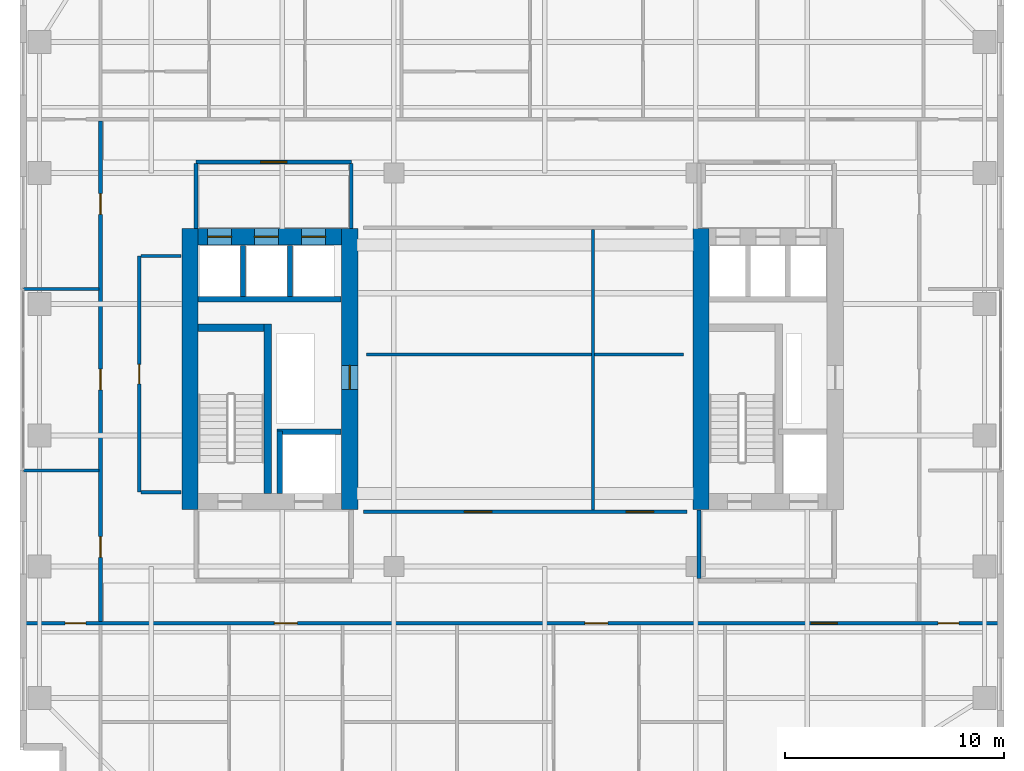
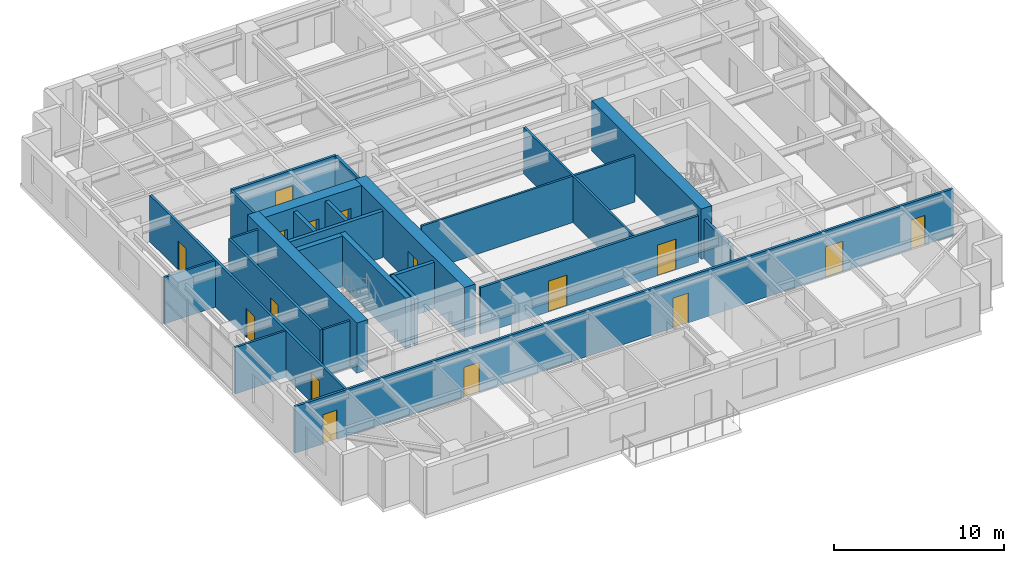
# One storey, part 9 of 16: 25 walls, 16 doors, 16 openings.
"""IFC4 building model written with IfcOpenShell, lengths in metres."""

from ifc_helpers import new_model, si_unit, direction, frame, frame_2d, origin, place, context, subcontext, project, spatial, rectangle, extrude, source, transform, mapped, material, layer, layer_set, type_object, element, fill, save


model = new_model("IFC4")

# Units and contexts
model_context = context("Model", 3, precision=1e-05, world=origin(), true_north=direction((0.0, 1.0)))
body_context = subcontext(model_context, "Body", "Model", "MODEL_VIEW")
ifc_project = project(units=[si_unit("LENGTHUNIT", "METRE"), si_unit("AREAUNIT", "SQUARE_METRE"), si_unit("VOLUMEUNIT", "CUBIC_METRE"), si_unit("PLANEANGLEUNIT", "RADIAN"), si_unit("MASSUNIT", "GRAM", prefix="KILO")], contexts=[model_context])

# Site, building, storey
site_placement = place(None, origin())
site = spatial("IfcSite", under=ifc_project, at=site_placement, CompositionType="ELEMENT")
building_placement = place(site_placement, origin())
building = spatial("IfcBuilding", under=site, at=building_placement, Name="Khoralis Quay Care Tower", CompositionType="ELEMENT")
storey_placement = place(building_placement, frame((0.0, 0.0, 137.699951171875)))
storey = spatial("IfcBuildingStorey", under=building, at=storey_placement, Name="L36", CompositionType="ELEMENT", Elevation=137.699951171875)

# Walls
ifc_material_1 = material(Name="Gypsum plasterboard on acoustic metal stud")
ifc_layer_1 = layer(ifc_material_1, 0.199951171875)
ifc_layer_set_1 = layer_set([ifc_layer_1], Name="Gypsum plasterboard on acoustic metal stud")
wall_type_1 = type_object("IfcWallType", Name="WL-COMP-200", PredefinedType="PARTITIONING", material=ifc_layer_set_1)
wall_1_placement = place(storey_placement, frame((31.050048828125, 11.445068359375, 0.0), z_axis=(0.0, 0.0, 1.0), x_axis=(0.0, 1.0, 0.0)))
element("IfcWall", 1, at=wall_1_placement, inside=storey, type_object=wall_type_1, Name="L36 East Firefighting Lobby West Wall", PredefinedType="PARTITIONING", context=body_context, shape_type="SweptSolid", body=[
    extrude(rectangle(XDim=3.135009765625, YDim=0.199951171875, at=frame_2d((1.5673828125, 0.0))), origin(), (0.0, 0.0, 1.0), 2.796142578125),
])
ifc_material_2 = material(Name="Concrete C80/95", Category="concrete")
ifc_layer_2 = layer(ifc_material_2, 0.75)
ifc_layer_set_2 = layer_set([ifc_layer_2], Name="Concrete C80/95")
wall_type_2 = type_object("IfcWallType", Name="WL-CORE-750", PredefinedType="SHEAR", material=ifc_layer_set_2)
wall_2_placement = place(storey_placement, frame((7.77490234375, 14.60009765625, 0.0), z_axis=(0.0, 0.0, 1.0), x_axis=(0.0, 1.0, 0.0)))
element("IfcWall", 2, at=wall_2_placement, inside=storey, type_object=wall_type_2, Name="L36 WCORE West Shear Wall", PredefinedType="SHEAR", context=body_context, shape_type="SweptSolid", body=[
    extrude(rectangle(XDim=12.849853515625, YDim=0.75, at=frame_2d((6.4248046875, 0.0))), origin(), (0.0, 0.0, 1.0), 3.60009765625),
])

# Wall, opening, door
wall_3_placement = place(storey_placement, frame((15.074951171875, 14.60009765625, 0.0), z_axis=(0.0, 0.0, 1.0), x_axis=(0.0, 1.0, 0.0)))
wall_3 = element("IfcWall", 3, at=wall_3_placement, inside=storey, type_object=wall_type_2, Name="L36 WCORE East Shear Wall", PredefinedType="SHEAR", context=body_context, shape_type="SweptSolid", body=[
    extrude(rectangle(XDim=12.849853515625, YDim=0.75, at=frame_2d((6.4248046875, 0.0))), origin(), (0.0, 0.0, 1.0), 3.60009765625),
])
opening_1_placement = place(wall_3_placement, frame((5.5, 0.0, 0.0)))
opening_1 = element("IfcOpeningElement", 4, at=opening_1_placement, cuts=wall_3, Name="Opening SD1", PredefinedType="OPENING", context=body_context, shape_type="SweptSolid", body=[
    extrude(rectangle(XDim=1.10009765625, YDim=2.199951171875, at=frame_2d((0.550048828125, 1.10009765625))), frame((0.0, 0.385009765625, 0.0), z_axis=(0.0, -1.0, 0.0), x_axis=(1.0, 0.0, 0.0)), (0.0, 0.0, 1.0), 0.77001953125),
])
ifc_material_3 = material(Name="Fire-rated painted steel", Category="steel")
door_type_1 = type_object("IfcDoorType", Name="DR-STAIR-1100X2200", OperationType="NOTDEFINED", PredefinedType="DOOR", material=ifc_material_3)
shared_shape_1 = source(origin(), body_context, "Body", "SweptSolid", [
    extrude(rectangle(XDim=1.10009765625, YDim=2.199951171875, at=frame_2d((0.550048828125, 1.10009765625))), frame((0.0, 0.02490234375, 0.0), z_axis=(0.0, -1.0, 0.0), x_axis=(1.0, 0.0, 0.0)), (0.0, 0.0, 1.0), 0.050048828125),
])
door_1_placement = place(opening_1_placement, origin())
door_1 = element("IfcDoor", 5, at=door_1_placement, inside=storey, type_object=door_type_1, Name="L36 West MEP Riser Door", OperationType="SINGLE_SWING_RIGHT", OverallHeight=2.199951171875, OverallWidth=1.10009765625, PredefinedType="DOOR", context=body_context, shape_type="MappedRepresentation", body=[
    mapped(shared_shape_1, transform((0.0, 0.0, 0.0), scale=1.0)),
])
fill(opening_1, door_1)

# Wall, openings, doors
wall_4_placement = place(storey_placement, frame((8.14990234375, 27.074951171875, 0.0), z_axis=(0.0, 0.0, 1.0), x_axis=(1.0, 0.0, 0.0)))
wall_4 = element("IfcWall", 6, at=wall_4_placement, inside=storey, type_object=wall_type_2, Name="L36 WCORE North Shear Wall", PredefinedType="SHEAR", context=body_context, shape_type="SweptSolid", body=[
    extrude(rectangle(XDim=6.550048828125, YDim=0.75, at=frame_2d((3.27490234375, 0.0))), origin(), (0.0, 0.0, 1.0), 3.60009765625),
])
opening_2_placement = place(wall_4_placement, frame((0.429931640625, 0.0, 0.0)))
opening_2 = element("IfcOpeningElement", 7, at=opening_2_placement, cuts=wall_4, Name="Opening LD1", PredefinedType="OPENING", context=body_context, shape_type="SweptSolid", body=[
    extrude(rectangle(XDim=1.10009765625, YDim=2.199951171875, at=frame_2d((0.550048828125, 1.10009765625))), frame((0.0, 0.385009765625, 0.0), z_axis=(0.0, -1.0, 0.0), x_axis=(1.0, 0.0, 0.0)), (0.0, 0.0, 1.0), 0.77001953125),
])
opening_3_placement = place(wall_4_placement, frame((2.570068359375, 0.0, 0.0)))
opening_3 = element("IfcOpeningElement", 8, at=opening_3_placement, cuts=wall_4, Name="Opening LD1", PredefinedType="OPENING", context=body_context, shape_type="SweptSolid", body=[
    extrude(rectangle(XDim=1.10009765625, YDim=2.199951171875, at=frame_2d((0.550048828125, 1.10009765625))), frame((0.0, 0.385009765625, 0.0), z_axis=(0.0, -1.0, 0.0), x_axis=(1.0, 0.0, 0.0)), (0.0, 0.0, 1.0), 0.77001953125),
])
opening_4_placement = place(wall_4_placement, frame((4.72998046875, 0.0, 0.0)))
opening_4 = element("IfcOpeningElement", 9, at=opening_4_placement, cuts=wall_4, Name="Opening LD1", PredefinedType="OPENING", context=body_context, shape_type="SweptSolid", body=[
    extrude(rectangle(XDim=1.10009765625, YDim=2.199951171875, at=frame_2d((0.550048828125, 1.10009765625))), frame((0.0, 0.385009765625, 0.0), z_axis=(0.0, -1.0, 0.0), x_axis=(1.0, 0.0, 0.0)), (0.0, 0.0, 1.0), 0.77001953125),
])
ifc_material_4 = material(Name="Brushed stainless steel", Category="steel")
door_type_2 = type_object("IfcDoorType", Name="DR-LIFT-1100X2200", OperationType="SLIDING_TO_LEFT", PredefinedType="DOOR", material=ifc_material_4)
shared_shape_2 = source(origin(), body_context, "Body", "SweptSolid", [
    extrude(rectangle(XDim=1.10009765625, YDim=2.199951171875, at=frame_2d((0.550048828125, 1.10009765625))), frame((0.0, 0.02490234375, 0.0), z_axis=(0.0, -1.0, 0.0), x_axis=(1.0, 0.0, 0.0)), (0.0, 0.0, 1.0), 0.050048828125),
])
door_2_placement = place(opening_2_placement, origin())
door_2 = element("IfcDoor", 10, at=door_2_placement, inside=storey, type_object=door_type_2, Name="L36 Lift PLL1 Landing Door", OperationType="SLIDING_TO_LEFT", OverallHeight=2.199951171875, OverallWidth=1.10009765625, PredefinedType="DOOR", context=body_context, shape_type="MappedRepresentation", body=[
    mapped(shared_shape_2, transform((0.0, 0.0, 0.0), scale=1.0)),
])
fill(opening_2, door_2)
door_3_placement = place(opening_3_placement, origin())
door_3 = element("IfcDoor", 11, at=door_3_placement, inside=storey, type_object=door_type_2, Name="L36 Lift PLM1 Landing Door", OperationType="SLIDING_TO_LEFT", OverallHeight=2.199951171875, OverallWidth=1.10009765625, PredefinedType="DOOR", context=body_context, shape_type="MappedRepresentation", body=[
    mapped(shared_shape_2, transform((0.0, 0.0, 0.0), scale=1.0)),
])
fill(opening_3, door_3)
door_4_placement = place(opening_4_placement, origin())
door_4 = element("IfcDoor", 12, at=door_4_placement, inside=storey, type_object=door_type_2, Name="L36 Lift PLH1 Landing Door", OperationType="SLIDING_TO_LEFT", OverallHeight=2.199951171875, OverallWidth=1.10009765625, PredefinedType="DOOR", context=body_context, shape_type="MappedRepresentation", body=[
    mapped(shared_shape_2, transform((0.0, 0.0, 0.0), scale=1.0)),
])
fill(opening_4, door_4)

# Wall
wall_5_placement = place(storey_placement, frame((31.14501953125, 14.60009765625, 0.0), z_axis=(0.0, 0.0, 1.0), x_axis=(0.0, 1.0, 0.0)))
element("IfcWall", 13, at=wall_5_placement, inside=storey, type_object=wall_type_2, Name="L36 ECORE West Shear Wall", PredefinedType="SHEAR", context=body_context, shape_type="SweptSolid", body=[
    extrude(rectangle(XDim=12.849853515625, YDim=0.75, at=frame_2d((6.4248046875, 0.0))), origin(), (0.0, 0.0, 1.0), 3.60009765625),
])

# Wall, opening, door
ifc_layer_3 = layer(ifc_material_1, 0.1650390625)
ifc_layer_set_3 = layer_set([ifc_layer_3], Name="Gypsum plasterboard on acoustic metal stud")
wall_type_3 = type_object("IfcWallType", Name="WL-CORR-165", PredefinedType="PARTITIONING", material=ifc_layer_set_3)
wall_6_placement = place(storey_placement, frame((8.050048828125, 30.5, 0.0), z_axis=(0.0, 0.0, 1.0), x_axis=(1.0, 0.0, 0.0)))
wall_6 = element("IfcWall", 14, at=wall_6_placement, inside=storey, type_object=wall_type_3, Name="L36 West Lift Lobby North Wall", PredefinedType="PARTITIONING", context=body_context, shape_type="SweptSolid", body=[
    extrude(rectangle(XDim=7.099853515625, YDim=0.1650390625, at=frame_2d((3.5498046875, 0.0))), origin(), (0.0, 0.0, 1.0), 3.340087890625),
])
opening_5_placement = place(wall_6_placement, frame((2.949951171875, 0.0, 0.0)))
opening_5 = element("IfcOpeningElement", 15, at=opening_5_placement, cuts=wall_6, Name="Opening FD1", PredefinedType="OPENING", context=body_context, shape_type="SweptSolid", body=[
    extrude(rectangle(XDim=1.199951171875, YDim=2.199951171875, at=frame_2d((0.60009765625, 1.10009765625))), frame((0.0, 0.092529296875, 0.0), z_axis=(0.0, -1.0, 0.0), x_axis=(1.0, 0.0, 0.0)), (0.0, 0.0, 1.0), 0.18505859375),
])
door_type_3 = type_object("IfcDoorType", Name="DR-FFL-1200X2200", OperationType="NOTDEFINED", PredefinedType="DOOR", material=ifc_material_3)
shared_shape_3 = source(origin(), body_context, "Body", "SweptSolid", [
    extrude(rectangle(XDim=1.199951171875, YDim=2.199951171875, at=frame_2d((0.60009765625, 1.10009765625))), frame((0.0, 0.02490234375, 0.0), z_axis=(0.0, -1.0, 0.0), x_axis=(1.0, 0.0, 0.0)), (0.0, 0.0, 1.0), 0.050048828125),
])
door_5_placement = place(opening_5_placement, origin())
door_5 = element("IfcDoor", 16, at=door_5_placement, inside=storey, type_object=door_type_3, Name="L36 West Lift Lobby Double Door", OperationType="DOUBLE_DOOR_SINGLE_SWING", OverallHeight=2.199951171875, OverallWidth=1.199951171875, PredefinedType="DOOR", context=body_context, shape_type="MappedRepresentation", body=[
    mapped(shared_shape_3, transform((0.0, 0.0, 0.0), scale=1.0)),
])
fill(opening_5, door_5)

# Walls
for number, where, z_axis, x_axis, name in (
    (17, (8.050048828125, 27.469970703125, 0.0), (0.0, 0.0, 1.0), (0.0, 1.0, 0.0), "L36 West Lift Lobby West Wall"),
    (18, (15.14990234375, 27.469970703125, 0.0), (0.0, 0.0, 1.0), (0.0, 1.0, 0.0), "L36 West Lift Lobby East Wall"),
):
    element("IfcWall", number, at=place(storey_placement, frame(where, z_axis=z_axis, x_axis=x_axis)), inside=storey, type_object=wall_type_3, Name=name, PredefinedType="PARTITIONING", context=body_context, shape_type="SweptSolid", body=[
        extrude(rectangle(XDim=2.95263671875, YDim=0.1650390625, at=frame_2d((1.476318359375, 0.0))), origin(), (0.0, 0.0, 1.0), 3.340087890625),
    ])

# Wall, opening, door
wall_7_placement = place(storey_placement, frame((5.449951171875, 15.39990234375, 0.0), z_axis=(0.0, 0.0, 1.0), x_axis=(0.0, 1.0, 0.0)))
wall_7 = element("IfcWall", 19, at=wall_7_placement, inside=storey, type_object=wall_type_3, Name="L36 West Core Service Flank Wall", PredefinedType="PARTITIONING", context=body_context, shape_type="SweptSolid", body=[
    extrude(rectangle(XDim=10.800048828125, YDim=0.1650390625, at=frame_2d((5.39990234375, 0.0))), origin(), (0.0, 0.0, 1.0), 3.340087890625),
])
opening_6_placement = place(wall_7_placement, frame((4.949951171875, 0.0, 0.0)))
opening_6 = element("IfcOpeningElement", 20, at=opening_6_placement, cuts=wall_7, Name="Opening WD1", PredefinedType="OPENING", context=body_context, shape_type="SweptSolid", body=[
    extrude(rectangle(XDim=0.89990234375, YDim=2.10009765625, at=frame_2d((0.449951171875, 1.050048828125))), frame((0.0, 0.092529296875, 0.0), z_axis=(0.0, -1.0, 0.0), x_axis=(1.0, 0.0, 0.0)), (0.0, 0.0, 1.0), 0.18505859375),
])
ifc_material_5 = material(Name="Acoustic hardwood timber", Category="wood")
door_type_4 = type_object("IfcDoorType", Name="DR-BATH-900X2100", OperationType="NOTDEFINED", PredefinedType="DOOR", material=ifc_material_5)
shared_shape_4 = source(origin(), body_context, "Body", "SweptSolid", [
    extrude(rectangle(XDim=0.89990234375, YDim=2.10009765625, at=frame_2d((0.449951171875, 1.050048828125))), frame((0.0, 0.02490234375, 0.0), z_axis=(0.0, -1.0, 0.0), x_axis=(1.0, 0.0, 0.0)), (0.0, 0.0, 1.0), 0.050048828125),
])
door_6_placement = place(opening_6_placement, frame((0.89990234375, 0.0, 0.0), z_axis=(0.0, 0.0, 1.0), x_axis=(-1.0, 0.0, 0.0)))
door_6 = element("IfcDoor", 21, at=door_6_placement, inside=storey, type_object=door_type_4, Name="L36 Housekeeping & Public Accessible WC Door", OperationType="SINGLE_SWING_LEFT", OverallHeight=2.10009765625, OverallWidth=0.89990234375, PredefinedType="DOOR", context=body_context, shape_type="MappedRepresentation", body=[
    mapped(shared_shape_4, transform((0.0, 0.0, 0.0), scale=1.0)),
])
fill(opening_6, door_6)

# Wall, openings, doors
wall_8_placement = place(storey_placement, frame((0.14501953125, 9.39990234375, 0.0), z_axis=(0.0, 0.0, 1.0), x_axis=(1.0, 0.0, 0.0)))
wall_8 = element("IfcWall", 22, at=wall_8_placement, inside=storey, type_object=wall_type_3, Name="L36 South Main Corridor Wall", PredefinedType="PARTITIONING", context=body_context, shape_type="SweptSolid", body=[
    extrude(rectangle(XDim=44.7099609375, YDim=0.1650390625, at=frame_2d((22.35498046875, 0.0))), origin(), (0.0, 0.0, 1.0), 3.340087890625),
])
opening_7_placement = place(wall_8_placement, frame((11.486083984375, 0.0, 0.0)))
opening_7 = element("IfcOpeningElement", 23, at=opening_7_placement, cuts=wall_8, Name="Opening UD1", PredefinedType="OPENING", context=body_context, shape_type="SweptSolid", body=[
    extrude(rectangle(XDim=1.050048828125, YDim=2.14990234375, at=frame_2d((0.52490234375, 1.074951171875))), frame((0.0, 0.092529296875, 0.0), z_axis=(0.0, -1.0, 0.0), x_axis=(1.0, 0.0, 0.0)), (0.0, 0.0, 1.0), 0.18505859375),
])
opening_8_placement = place(wall_8_placement, frame((25.685546875, 0.0, 0.0)))
opening_8 = element("IfcOpeningElement", 24, at=opening_8_placement, cuts=wall_8, Name="Opening UD1", PredefinedType="OPENING", context=body_context, shape_type="SweptSolid", body=[
    extrude(rectangle(XDim=1.050048828125, YDim=2.14990234375, at=frame_2d((0.52490234375, 1.074951171875))), frame((0.0, 0.092529296875, 0.0), z_axis=(0.0, -1.0, 0.0), x_axis=(1.0, 0.0, 0.0)), (0.0, 0.0, 1.0), 0.18505859375),
])
opening_9_placement = place(wall_8_placement, frame((36.034912109375, 0.0, 0.0)))
opening_9 = element("IfcOpeningElement", 25, at=opening_9_placement, cuts=wall_8, Name="Opening FD1", PredefinedType="OPENING", context=body_context, shape_type="SweptSolid", body=[
    extrude(rectangle(XDim=1.199951171875, YDim=2.199951171875, at=frame_2d((0.60009765625, 1.10009765625))), frame((0.0, 0.092529296875, 0.0), z_axis=(0.0, -1.0, 0.0), x_axis=(1.0, 0.0, 0.0)), (0.0, 0.0, 1.0), 0.18505859375),
])
opening_10_placement = place(wall_8_placement, frame((1.919921875, 0.0, 0.0)))
opening_10 = element("IfcOpeningElement", 26, at=opening_10_placement, cuts=wall_8, Name="Opening ID1", PredefinedType="OPENING", context=body_context, shape_type="SweptSolid", body=[
    extrude(rectangle(XDim=0.949951171875, YDim=2.10009765625, at=frame_2d((0.47509765625, 1.050048828125))), frame((0.0, 0.092529296875, 0.0), z_axis=(0.0, -1.0, 0.0), x_axis=(1.0, 0.0, 0.0)), (0.0, 0.0, 1.0), 0.18505859375),
])
opening_11_placement = place(wall_8_placement, frame((41.840087890625, 0.0, 0.0)))
opening_11 = element("IfcOpeningElement", 27, at=opening_11_placement, cuts=wall_8, Name="Opening ID1", PredefinedType="OPENING", context=body_context, shape_type="SweptSolid", body=[
    extrude(rectangle(XDim=0.949951171875, YDim=2.10009765625, at=frame_2d((0.47509765625, 1.050048828125))), frame((0.0, 0.092529296875, 0.0), z_axis=(0.0, -1.0, 0.0), x_axis=(1.0, 0.0, 0.0)), (0.0, 0.0, 1.0), 0.18505859375),
])
door_7_placement = place(opening_9_placement, frame((1.199951171875, 0.0, 0.0), z_axis=(0.0, 0.0, 1.0), x_axis=(-1.0, 0.0, 0.0)))
door_7 = element("IfcDoor", 28, at=door_7_placement, inside=storey, type_object=door_type_3, Name="L36 Resident Communal Day Lounge Door", OperationType="DOUBLE_DOOR_SINGLE_SWING", OverallHeight=2.199951171875, OverallWidth=1.199951171875, PredefinedType="DOOR", context=body_context, shape_type="MappedRepresentation", body=[
    mapped(shared_shape_3, transform((0.0, 0.0, 0.0), scale=1.0)),
])
fill(opening_9, door_7)
door_type_5 = type_object("IfcDoorType", Name="DR-ROOM-950X2100", OperationType="NOTDEFINED", PredefinedType="DOOR", material=ifc_material_5)
shared_shape_5 = source(origin(), body_context, "Body", "SweptSolid", [
    extrude(rectangle(XDim=0.949951171875, YDim=2.10009765625, at=frame_2d((0.47509765625, 1.050048828125))), frame((0.0, 0.02490234375, 0.0), z_axis=(0.0, -1.0, 0.0), x_axis=(1.0, 0.0, 0.0)), (0.0, 0.0, 1.0), 0.050048828125),
])
door_8_placement = place(opening_10_placement, frame((0.949951171875, 0.0, 0.0), z_axis=(0.0, 0.0, 1.0), x_axis=(-1.0, 0.0, 0.0)))
door_8 = element("IfcDoor", 29, at=door_8_placement, inside=storey, type_object=door_type_5, Name="L36 SW Corner Door", OperationType="SINGLE_SWING_LEFT", OverallHeight=2.10009765625, OverallWidth=0.949951171875, PredefinedType="DOOR", context=body_context, shape_type="MappedRepresentation", body=[
    mapped(shared_shape_5, transform((0.0, 0.0, 0.0), scale=1.0)),
])
fill(opening_10, door_8)
door_9_placement = place(opening_11_placement, frame((0.949951171875, 0.0, 0.0), z_axis=(0.0, 0.0, 1.0), x_axis=(-1.0, 0.0, 0.0)))
door_9 = element("IfcDoor", 30, at=door_9_placement, inside=storey, type_object=door_type_5, Name="L36 SE Corner Door", OperationType="SINGLE_SWING_RIGHT", OverallHeight=2.10009765625, OverallWidth=0.949951171875, PredefinedType="DOOR", context=body_context, shape_type="MappedRepresentation", body=[
    mapped(shared_shape_5, transform((0.0, 0.0, 0.0), scale=1.0)),
])
fill(opening_11, door_9)
door_type_6 = type_object("IfcDoorType", Name="DR-SUITE-1050X2150", OperationType="NOTDEFINED", PredefinedType="DOOR", material=ifc_material_5)
shared_shape_6 = source(origin(), body_context, "Body", "SweptSolid", [
    extrude(rectangle(XDim=1.050048828125, YDim=2.14990234375, at=frame_2d((0.52490234375, 1.074951171875))), frame((0.0, 0.02490234375, 0.0), z_axis=(0.0, -1.0, 0.0), x_axis=(1.0, 0.0, 0.0)), (0.0, 0.0, 1.0), 0.050048828125),
])
door_10_placement = place(opening_7_placement, frame((1.050048828125, 0.0, 0.0), z_axis=(0.0, 0.0, 1.0), x_axis=(-1.0, 0.0, 0.0)))
door_10 = element("IfcDoor", 31, at=door_10_placement, inside=storey, type_object=door_type_6, Name="L36 2BR SB0 Entrance", OperationType="SINGLE_SWING_RIGHT", OverallHeight=2.14990234375, OverallWidth=1.050048828125, PredefinedType="DOOR", context=body_context, shape_type="MappedRepresentation", body=[
    mapped(shared_shape_6, transform((0.0, 0.0, 0.0), scale=1.0)),
])
fill(opening_7, door_10)
door_11_placement = place(opening_8_placement, frame((1.050048828125, 0.0, 0.0), z_axis=(0.0, 0.0, 1.0), x_axis=(-1.0, 0.0, 0.0)))
door_11 = element("IfcDoor", 32, at=door_11_placement, inside=storey, type_object=door_type_6, Name="L36 2BR SB1 Entrance", OperationType="SINGLE_SWING_LEFT", OverallHeight=2.14990234375, OverallWidth=1.050048828125, PredefinedType="DOOR", context=body_context, shape_type="MappedRepresentation", body=[
    mapped(shared_shape_6, transform((0.0, 0.0, 0.0), scale=1.0)),
])
fill(opening_8, door_11)

wall_9_placement = place(storey_placement, frame((3.679931640625, 9.4775390625, 0.0), z_axis=(0.0, 0.0, 1.0), x_axis=(0.0, 1.0, 0.0)))
wall_9 = element("IfcWall", 33, at=wall_9_placement, inside=storey, type_object=wall_type_3, Name="L36 West Loop Corridor Wall", PredefinedType="PARTITIONING", context=body_context, shape_type="SweptSolid", body=[
    extrude(rectangle(XDim=22.905029296875, YDim=0.1650390625, at=frame_2d((11.45263671875, 0.0))), origin(), (0.0, 0.0, 1.0), 3.340087890625),
])
opening_12_placement = place(wall_9_placement, frame((2.947509765625, 0.0, 0.0)))
opening_12 = element("IfcOpeningElement", 34, at=opening_12_placement, cuts=wall_9, Name="Opening ID1", PredefinedType="OPENING", context=body_context, shape_type="SweptSolid", body=[
    extrude(rectangle(XDim=0.949951171875, YDim=2.10009765625, at=frame_2d((0.47509765625, 1.050048828125))), frame((0.0, 0.092529296875, 0.0), z_axis=(0.0, -1.0, 0.0), x_axis=(1.0, 0.0, 0.0)), (0.0, 0.0, 1.0), 0.18505859375),
])
opening_13_placement = place(wall_9_placement, frame((10.597412109375, 0.0, 0.0)))
opening_13 = element("IfcOpeningElement", 35, at=opening_13_placement, cuts=wall_9, Name="Opening ID1", PredefinedType="OPENING", context=body_context, shape_type="SweptSolid", body=[
    extrude(rectangle(XDim=0.949951171875, YDim=2.10009765625, at=frame_2d((0.47509765625, 1.050048828125))), frame((0.0, 0.092529296875, 0.0), z_axis=(0.0, -1.0, 0.0), x_axis=(1.0, 0.0, 0.0)), (0.0, 0.0, 1.0), 0.18505859375),
])
opening_14_placement = place(wall_9_placement, frame((18.62744140625, 0.0, 0.0)))
opening_14 = element("IfcOpeningElement", 36, at=opening_14_placement, cuts=wall_9, Name="Opening ID1", PredefinedType="OPENING", context=body_context, shape_type="SweptSolid", body=[
    extrude(rectangle(XDim=0.949951171875, YDim=2.10009765625, at=frame_2d((0.47509765625, 1.050048828125))), frame((0.0, 0.092529296875, 0.0), z_axis=(0.0, -1.0, 0.0), x_axis=(1.0, 0.0, 0.0)), (0.0, 0.0, 1.0), 0.18505859375),
])
door_12_placement = place(opening_12_placement, origin())
door_12 = element("IfcDoor", 37, at=door_12_placement, inside=storey, type_object=door_type_5, Name="L36 Therapy Consultation Room Door", OperationType="SINGLE_SWING_LEFT", OverallHeight=2.10009765625, OverallWidth=0.949951171875, PredefinedType="DOOR", context=body_context, shape_type="MappedRepresentation", body=[
    mapped(shared_shape_5, transform((0.0, 0.0, 0.0), scale=1.0)),
])
fill(opening_12, door_12)
door_13_placement = place(opening_13_placement, origin())
door_13 = element("IfcDoor", 38, at=door_13_placement, inside=storey, type_object=door_type_5, Name="L36 Assisted Activity Lounge Door", OperationType="SINGLE_SWING_RIGHT", OverallHeight=2.10009765625, OverallWidth=0.949951171875, PredefinedType="DOOR", context=body_context, shape_type="MappedRepresentation", body=[
    mapped(shared_shape_5, transform((0.0, 0.0, 0.0), scale=1.0)),
])
fill(opening_13, door_13)
door_14_placement = place(opening_14_placement, origin())
door_14 = element("IfcDoor", 39, at=door_14_placement, inside=storey, type_object=door_type_5, Name="L36 Nurse Charting Office Door", OperationType="SINGLE_SWING_LEFT", OverallHeight=2.10009765625, OverallWidth=0.949951171875, PredefinedType="DOOR", context=body_context, shape_type="MappedRepresentation", body=[
    mapped(shared_shape_5, transform((0.0, 0.0, 0.0), scale=1.0)),
])
fill(opening_14, door_14)

wall_10_placement = place(storey_placement, frame((15.699951171875, 14.5, 0.0), z_axis=(0.0, 0.0, 1.0), x_axis=(1.0, 0.0, 0.0)))
wall_10 = element("IfcWall", 40, at=wall_10_placement, inside=storey, type_object=wall_type_3, Name="L36 Central Clinical South Wall", PredefinedType="PARTITIONING", context=body_context, shape_type="SweptSolid", body=[
    extrude(rectangle(XDim=14.800048828125, YDim=0.1650390625, at=frame_2d((7.39990234375, 0.0))), origin(), (0.0, 0.0, 1.0), 3.340087890625),
])
opening_15_placement = place(wall_10_placement, frame((4.625, 0.0, 0.0)))
opening_15 = element("IfcOpeningElement", 41, at=opening_15_placement, cuts=wall_10, Name="Opening CD1", PredefinedType="OPENING", context=body_context, shape_type="SweptSolid", body=[
    extrude(rectangle(XDim=1.25, YDim=2.199951171875, at=frame_2d((0.625, 1.10009765625))), frame((0.0, 0.092529296875, 0.0), z_axis=(0.0, -1.0, 0.0), x_axis=(1.0, 0.0, 0.0)), (0.0, 0.0, 1.0), 0.18505859375),
])
opening_16_placement = place(wall_10_placement, frame((12.02490234375, 0.0, 0.0)))
opening_16 = element("IfcOpeningElement", 42, at=opening_16_placement, cuts=wall_10, Name="Opening CD1", PredefinedType="OPENING", context=body_context, shape_type="SweptSolid", body=[
    extrude(rectangle(XDim=1.25, YDim=2.199951171875, at=frame_2d((0.625, 1.10009765625))), frame((0.0, 0.092529296875, 0.0), z_axis=(0.0, -1.0, 0.0), x_axis=(1.0, 0.0, 0.0)), (0.0, 0.0, 1.0), 0.18505859375),
])
door_type_7 = type_object("IfcDoorType", Name="DR-CARE-1250X2200", OperationType="NOTDEFINED", PredefinedType="DOOR", material=ifc_material_5)
shared_shape_7 = source(origin(), body_context, "Body", "SweptSolid", [
    extrude(rectangle(XDim=1.25, YDim=2.199951171875, at=frame_2d((0.625, 1.10009765625))), frame((0.0, 0.02490234375, 0.0), z_axis=(0.0, -1.0, 0.0), x_axis=(1.0, 0.0, 0.0)), (0.0, 0.0, 1.0), 0.050048828125),
])
door_15_placement = place(opening_15_placement, origin())
door_15 = element("IfcDoor", 43, at=door_15_placement, inside=storey, type_object=door_type_7, Name="L36 Nurse Station Door", OperationType="SINGLE_SWING_LEFT", OverallHeight=2.199951171875, OverallWidth=1.25, PredefinedType="DOOR", context=body_context, shape_type="MappedRepresentation", body=[
    mapped(shared_shape_7, transform((0.0, 0.0, 0.0), scale=1.0)),
])
fill(opening_15, door_15)
door_16_placement = place(opening_16_placement, origin())
door_16 = element("IfcDoor", 44, at=door_16_placement, inside=storey, type_object=door_type_7, Name="L36 Treatment Clinic Door", OperationType="SINGLE_SWING_RIGHT", OverallHeight=2.199951171875, OverallWidth=1.25, PredefinedType="DOOR", context=body_context, shape_type="MappedRepresentation", body=[
    mapped(shared_shape_7, transform((0.0, 0.0, 0.0), scale=1.0)),
])
fill(opening_16, door_16)

# Walls
ifc_material_6 = material(Name="Concrete C40/50", Category="concrete")
ifc_layer_4 = layer(ifc_material_6, 0.35009765625)
ifc_layer_set_4 = layer_set([ifc_layer_4], Name="Concrete C40/50")
wall_type_4 = type_object("IfcWallType", Name="WL-SC-CORE-350", PredefinedType="SHEAR", material=ifc_layer_set_4)
wall_11_placement = place(storey_placement, frame((11.324951171875, 15.35009765625, 0.0), z_axis=(0.0, 0.0, 1.0), x_axis=(0.0, 1.0, 0.0)))
element("IfcWall", 45, at=wall_11_placement, inside=storey, type_object=wall_type_4, Name="L36 Stair ST-T1 Shear Baffle Wall East", PredefinedType="SHEAR", context=body_context, shape_type="SweptSolid", body=[
    extrude(rectangle(XDim=7.75, YDim=0.35009765625, at=frame_2d((3.875, 0.0))), origin(), (0.0, 0.0, 1.0), 3.60009765625),
])
wall_12_placement = place(storey_placement, frame((8.14990234375, 22.925048828125, 0.0), z_axis=(0.0, 0.0, 1.0), x_axis=(1.0, 0.0, 0.0)))
element("IfcWall", 46, at=wall_12_placement, inside=storey, type_object=wall_type_4, Name="L36 Stair ST-T1 Shear Baffle Wall North", PredefinedType="SHEAR", context=body_context, shape_type="SweptSolid", body=[
    extrude(rectangle(XDim=3.0, YDim=0.35009765625, at=frame_2d((1.5, 0.0))), origin(), (0.0, 0.0, 1.0), 3.60009765625),
])
ifc_layer_5 = layer(ifc_material_1, 0.239990234375)
ifc_layer_set_5 = layer_set([ifc_layer_5], Name="Gypsum plasterboard on acoustic metal stud")
wall_type_5 = type_object("IfcWallType", Name="WL-SHAFT-240", PredefinedType="PARTITIONING", material=ifc_layer_set_5)
wall_13_placement = place(storey_placement, frame((11.8798828125, 15.35009765625, 0.0), z_axis=(0.0, 0.0, 1.0), x_axis=(0.0, 1.0, 0.0)))
element("IfcWall", 47, at=wall_13_placement, inside=storey, type_object=wall_type_5, Name="L36 FFL-1 Shaft Wall West", PredefinedType="PARTITIONING", context=body_context, shape_type="SweptSolid", body=[
    extrude(rectangle(XDim=2.849853515625, YDim=0.239990234375, at=frame_2d((1.4248046875, 0.0))), origin(), (0.0, 0.0, 1.0), 3.340087890625),
])
wall_14_placement = place(storey_placement, frame((11.760009765625, 18.169921875, 0.0), z_axis=(0.0, 0.0, 1.0), x_axis=(1.0, 0.0, 0.0)))
element("IfcWall", 48, at=wall_14_placement, inside=storey, type_object=wall_type_5, Name="L36 FFL-1 Shaft Wall North", PredefinedType="PARTITIONING", context=body_context, shape_type="SweptSolid", body=[
    extrude(rectangle(XDim=2.919921875, YDim=0.239990234375, at=frame_2d((1.4599609375, 0.0))), origin(), (0.0, 0.0, 1.0), 3.340087890625),
])
wall_15_placement = place(storey_placement, frame((8.14990234375, 24.22998046875, 0.0), z_axis=(0.0, 0.0, 1.0), x_axis=(1.0, 0.0, 0.0)))
element("IfcWall", 49, at=wall_15_placement, inside=storey, type_object=wall_type_5, Name="L36 West Passenger Shaft South Wall", PredefinedType="PARTITIONING", context=body_context, shape_type="SweptSolid", body=[
    extrude(rectangle(XDim=6.530029296875, YDim=0.239990234375, at=frame_2d((3.26513671875, 0.0))), origin(), (0.0, 0.0, 1.0), 3.340087890625),
])
for number, where, z_axis, x_axis, name in (
    (50, (10.199951171875, 24.344970703125, 0.0), (0.0, 0.0, 1.0), (0.0, 1.0, 0.0), "L36 West Shaft Divider 1"),
    (51, (12.35009765625, 24.344970703125, 0.0), (0.0, 0.0, 1.0), (0.0, 1.0, 0.0), "L36 West Shaft Divider 2"),
):
    element("IfcWall", number, at=place(storey_placement, frame(where, z_axis=z_axis, x_axis=x_axis)), inside=storey, type_object=wall_type_5, Name=name, PredefinedType="PARTITIONING", context=body_context, shape_type="SweptSolid", body=[
        extrude(rectangle(XDim=2.3349609375, YDim=0.239990234375, at=frame_2d((1.16748046875, 0.0))), origin(), (0.0, 0.0, 1.0), 3.340087890625),
    ])
ifc_layer_6 = layer(ifc_material_1, 0.139892578125)
ifc_layer_set_6 = layer_set([ifc_layer_6], Name="Gypsum plasterboard on acoustic metal stud")
wall_type_6 = type_object("IfcWallType", Name="WL-UNIT-140", PredefinedType="PARTITIONING", material=ifc_layer_set_6)
for number, where, z_axis, x_axis, name in (
    (52, (5.527587890625, 15.39990234375, 0.0), (0.0, 0.0, 1.0), (1.0, 0.0, 0.0), "L36 West Flank South Cap"),
    (53, (5.527587890625, 26.199951171875, 0.0), (0.0, 0.0, 1.0), (1.0, 0.0, 0.0), "L36 West Flank North Cap"),
):
    element("IfcWall", number, at=place(storey_placement, frame(where, z_axis=z_axis, x_axis=x_axis)), inside=storey, type_object=wall_type_6, Name=name, PredefinedType="PARTITIONING", context=body_context, shape_type="SweptSolid", body=[
        extrude(rectangle(XDim=1.83251953125, YDim=0.139892578125, at=frame_2d((0.916259765625, 0.0))), origin(), (0.0, 0.0, 1.0), 3.340087890625),
    ])
for number, where, z_axis, x_axis, name in (
    (54, (0.14501953125, 16.39990234375, 0.0), (0.0, 0.0, 1.0), (1.0, 0.0, 0.0), "L36 WW Divider 1"),
    (55, (0.14501953125, 24.699951171875, 0.0), (0.0, 0.0, 1.0), (1.0, 0.0, 0.0), "L36 WW Divider 2"),
):
    element("IfcWall", number, at=place(storey_placement, frame(where, z_axis=z_axis, x_axis=x_axis)), inside=storey, type_object=wall_type_6, Name=name, PredefinedType="PARTITIONING", context=body_context, shape_type="SweptSolid", body=[
        extrude(rectangle(XDim=3.45751953125, YDim=0.139892578125, at=frame_2d((1.728759765625, 0.0))), origin(), (0.0, 0.0, 1.0), 3.340087890625),
    ])
wall_16_placement = place(storey_placement, frame((26.199951171875, 14.577392578125, 0.0), z_axis=(0.0, 0.0, 1.0), x_axis=(0.0, 1.0, 0.0)))
element("IfcWall", 56, at=wall_16_placement, inside=storey, type_object=wall_type_6, Name="L36 Central Split V", PredefinedType="PARTITIONING", context=body_context, shape_type="SweptSolid", body=[
    extrude(rectangle(XDim=12.84521484375, YDim=0.139892578125, at=frame_2d((6.422607421875, 0.0))), origin(), (0.0, 0.0, 1.0), 3.340087890625),
])
wall_17_placement = place(storey_placement, frame((15.85009765625, 21.699951171875, 0.0), z_axis=(0.0, 0.0, 1.0), x_axis=(1.0, 0.0, 0.0)))
element("IfcWall", 57, at=wall_17_placement, inside=storey, type_object=wall_type_6, Name="L36 Central Split H", PredefinedType="PARTITIONING", context=body_context, shape_type="SweptSolid", body=[
    extrude(rectangle(XDim=14.5, YDim=0.139892578125, at=frame_2d((7.25, 0.0))), origin(), (0.0, 0.0, 1.0), 3.340087890625),
])

save(model, "model.ifc")
